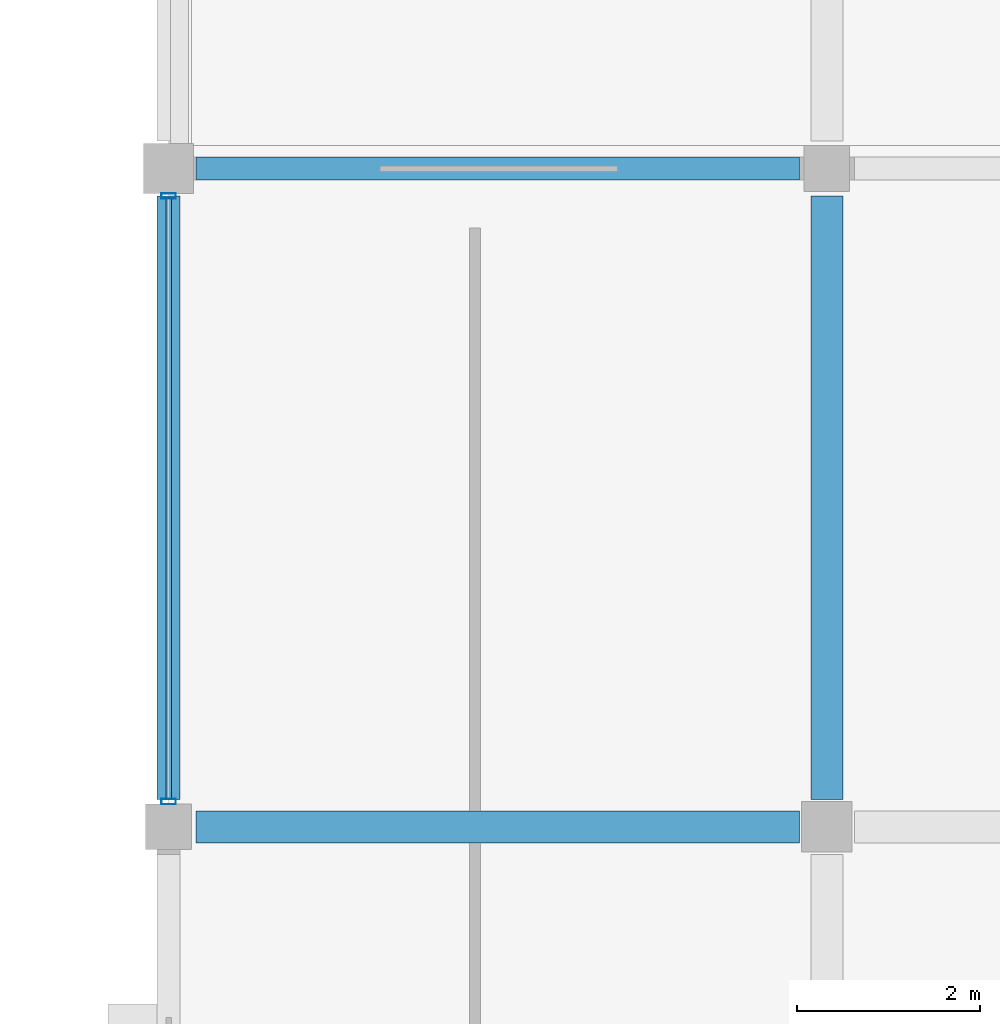
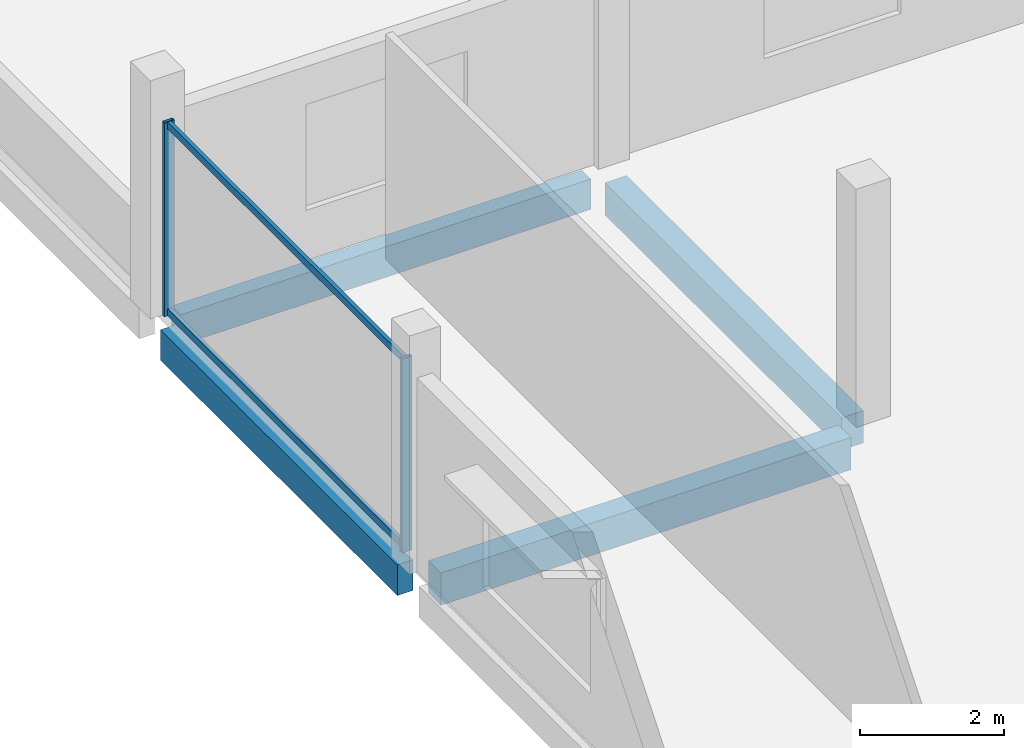
# One storey, part 10 of 26: 4 beams, 4 members, 1 element without a shape of its own.
"""IFC4 building model written with IfcOpenShell, lengths in metres."""

import ifcopenshell
import ifcopenshell.guid

model = None  # the IFC model being written
_history = None  # IfcOwnerHistory: only IFC2X3 demands one
_inside = {}  # id of a spatial element -> (the spatial element, [elements in it])
_under = {}  # id of a project, library or spatial element -> (it, [spatial elements below it])
_declared = {}  # id of a project -> (the project, [libraries it declares])
_typed = {}  # id of a type object -> (the type object, [elements of that type])
_made_of = {}  # id of a material, layer set ... -> (it, [elements and type objects made of it])


def new_model(schema):
    """Start an empty IFC model of exactly this schema.

    Asked for "IFC4X3", IfcOpenShell would pick the latest addendum, in which some entities
    have other attributes; the version numbers below select the first issue.
    IFC2X3 requires an IfcOwnerHistory on every rooted entity: one is made here for all.
    """
    global model, _history
    if schema == "IFC4X3":
        model = ifcopenshell.file(schema_version=(4, 3, 0, 0))
    else:
        model = ifcopenshell.file(schema=schema)
    _inside.clear()
    _under.clear()
    _declared.clear()
    _typed.clear()
    _made_of.clear()
    _history = None
    if model.schema == "IFC2X3":
        org = make("IfcOrganization", Name="unknown")
        user = make(
            "IfcPersonAndOrganization",
            ThePerson=make("IfcPerson", FamilyName="unknown"),
            TheOrganization=org,
        )
        app = make(
            "IfcApplication",
            ApplicationDeveloper=org,
            Version="unknown",
            ApplicationFullName="unknown",
            ApplicationIdentifier="unknown",
        )
        _history = make(
            "IfcOwnerHistory",
            OwningUser=user,
            OwningApplication=app,
            ChangeAction="ADDED",
            CreationDate=0,
        )
    return model


def make(cls, **values):
    """One entity of the class cls with the attributes given. An attribute that is None is left unset."""
    return model.create_entity(
        cls, **{name: value for name, value in values.items() if value is not None}
    )


def rooted(cls, **values):
    """An entity with a GlobalId (a new one), such as an element, a storey or a relation."""
    return make(cls, GlobalId=ifcopenshell.guid.new(), OwnerHistory=_history, **values)


def si_unit(unit_type, name, prefix=None):
    """IfcSIUnit, for example si_unit("LENGTHUNIT", "METRE", prefix="MILLI")."""
    return make("IfcSIUnit", UnitType=unit_type, Prefix=prefix, Name=name)


def assignment(units):
    """IfcUnitAssignment: the units of a project."""
    return None if units is None else make("IfcUnitAssignment", Units=units)


def point(xyz):
    """IfcCartesianPoint."""
    return None if xyz is None else make("IfcCartesianPoint", Coordinates=xyz)


def direction(xyz):
    """IfcDirection."""
    return None if xyz is None else make("IfcDirection", DirectionRatios=xyz)


def frame(location, z_axis=None, x_axis=None):
    """IfcAxis2Placement3D, a coordinate frame: its origin and axes. An axis left out is left unset."""
    return make(
        "IfcAxis2Placement3D",
        Location=point(location),
        Axis=direction(z_axis),
        RefDirection=direction(x_axis),
    )


def frame_2d(location, x_axis=None):
    """IfcAxis2Placement2D, a coordinate frame in the plane: its origin and x axis."""
    return make(
        "IfcAxis2Placement2D", Location=point(location), RefDirection=direction(x_axis)
    )


def origin():
    """The frame at (0, 0, 0) with its axes left unset."""
    return frame((0.0, 0.0, 0.0))


def origin_2d():
    """The frame at (0, 0) in the plane with its x axis left unset."""
    return frame_2d((0.0, 0.0))


def place(relative_to, where):
    """IfcLocalPlacement: puts the frame where relative to a parent placement (None: the world)."""
    return make(
        "IfcLocalPlacement", PlacementRelTo=relative_to, RelativePlacement=where
    )


def context(
    kind, dimensions, precision=None, world=None, true_north=None, identifier=None
):
    """IfcGeometricRepresentationContext, for example the 3D "Model" context."""
    return make(
        "IfcGeometricRepresentationContext",
        ContextIdentifier=identifier,
        ContextType=kind,
        CoordinateSpaceDimension=dimensions,
        Precision=precision,
        WorldCoordinateSystem=world,
        TrueNorth=true_north,
    )


def subcontext(parent, identifier, kind, view, scale=None):
    """IfcGeometricRepresentationSubContext, for example "Body" below "Model"."""
    return make(
        "IfcGeometricRepresentationSubContext",
        ContextIdentifier=identifier,
        ContextType=kind,
        ParentContext=parent,
        TargetScale=scale,
        TargetView=view,
    )


def project(units=None, contexts=None):
    """IfcProject with its units and contexts."""
    return rooted(
        "IfcProject",
        Name="project",
        RepresentationContexts=contexts,
        UnitsInContext=assignment(units),
    )


def spatial(cls, under=None, at=None, **own):
    """A site, building, storey or space (cls), placed at a placement, below another one or the project."""
    s = rooted(cls, ObjectPlacement=at, **own)
    if under is not None:
        _under.setdefault(under.id(), (under, []))[1].append(s)
    return s


def profile(cls, at=None, kind="AREA", **sizes):
    """A parametric profile (cls). Its sizes go by their IFC names, for example OverallWidth=200.0."""
    return make(cls, ProfileType=kind, Position=at, **sizes)


def rectangle(**sizes):
    """IfcRectangleProfileDef."""
    return profile("IfcRectangleProfileDef", **sizes)


def hollow_rectangle(**sizes):
    """IfcRectangleHollowProfileDef."""
    return profile("IfcRectangleHollowProfileDef", **sizes)


def extrude(swept, where, along, depth):
    """IfcExtrudedAreaSolid: the profile swept, set in the frame where, extruded along a direction by depth."""
    return make(
        "IfcExtrudedAreaSolid",
        SweptArea=swept,
        Position=where,
        ExtrudedDirection=direction(along),
        Depth=depth,
    )


def shape(context_of_items, identifier, shape_type, items):
    """IfcShapeRepresentation: the items that make up one representation, for example the "Body"."""
    return make(
        "IfcShapeRepresentation",
        ContextOfItems=context_of_items,
        RepresentationIdentifier=identifier,
        RepresentationType=shape_type,
        Items=items,
    )


def material(Name=None, Category=None):
    """IfcMaterial."""
    return make("IfcMaterial", Name=Name, Category=Category)


def layer(
    of_material, thickness, ventilated=None, Name=None, Category=None, Priority=None
):
    """IfcMaterialLayer: one layer of a wall or slab, of a material (None: an air gap)."""
    return make(
        "IfcMaterialLayer",
        Material=of_material,
        LayerThickness=thickness,
        IsVentilated=ventilated,
        Name=Name,
        Category=Category,
        Priority=Priority,
    )


def layer_set(layers, Name=None):
    """IfcMaterialLayerSet."""
    return make("IfcMaterialLayerSet", MaterialLayers=layers, LayerSetName=Name)


def material_profile(
    of_material, cross_section, Name=None, Category=None, Priority=None
):
    """IfcMaterialProfile: a cross section and its material."""
    return make(
        "IfcMaterialProfile",
        Name=Name,
        Material=of_material,
        Profile=cross_section,
        Priority=Priority,
        Category=Category,
    )


def profile_set(profiles, Name=None, composite=None):
    """IfcMaterialProfileSet."""
    return make(
        "IfcMaterialProfileSet",
        Name=Name,
        MaterialProfiles=profiles,
        CompositeProfile=composite,
    )


def made_of(thing, what):
    """Note that an element or type object is made of a material, layer set ...; save() writes the relation."""
    if what is not None:
        _made_of.setdefault(what.id(), (what, []))[1].append(thing)
    return thing


def type_object(cls, material=None, **own):
    """A type object (cls), such as IfcWallType, which elements share."""
    return made_of(rooted(cls, **own), material)


def element(
    cls,
    number,
    at=None,
    inside=None,
    cuts=None,
    type_object=None,
    material=None,
    context=None,
    identifier="Body",
    shape_type=None,
    held_by="IfcProductDefinitionShape",
    body=None,
    shapes=None,
    **own,
):
    """One element of the class cls, such as IfcWall. Its Tag is "e" and its number.

    at: its placement. inside: the storey or other place that contains it. cuts: it is an
    opening in that element (IfcRelVoidsElement). A single representation is given by context,
    identifier, shape_type and body (its items); several are given by shapes. held_by: the class
    of the entity that holds the representations. save() writes the other relations.
    """
    e = rooted(cls, Tag="e%d" % number, ObjectPlacement=at, **own)
    if body is not None:
        shapes = [shape(context, identifier, shape_type, body)]
    if shapes is not None:
        e.Representation = make(held_by, Representations=shapes)
    if inside is not None:
        _inside.setdefault(inside.id(), (inside, []))[1].append(e)
    if cuts is not None:
        rooted(
            "IfcRelVoidsElement", RelatingBuildingElement=cuts, RelatedOpeningElement=e
        )
    if type_object is not None:
        _typed.setdefault(type_object.id(), (type_object, []))[1].append(e)
    return made_of(e, material)


def aggregate(whole, parts):
    """IfcRelAggregates: a whole, such as a stair, and the parts it consists of."""
    return rooted("IfcRelAggregates", RelatingObject=whole, RelatedObjects=parts)


def save(model, path):
    """Write the relations noted so far, then the file.

    IfcRelAggregates (storeys below a building ...), IfcRelContainedInSpatialStructure (elements
    in a storey), IfcRelDefinesByType, IfcRelAssociatesMaterial and IfcRelDeclares: one each for
    every whole, place, type object, material and project.
    """
    for whole, parts in _under.values():
        aggregate(whole, parts)
    for where, things in _inside.values():
        rooted(
            "IfcRelContainedInSpatialStructure",
            RelatedElements=things,
            RelatingStructure=where,
        )
    for kind, things in _typed.values():
        rooted("IfcRelDefinesByType", RelatedObjects=things, RelatingType=kind)
    for what, things in _made_of.values():
        rooted("IfcRelAssociatesMaterial", RelatedObjects=things, RelatingMaterial=what)
    for by, libraries in _declared.values():
        rooted("IfcRelDeclares", RelatingContext=by, RelatedDefinitions=libraries)
    model.write(path)


model = new_model("IFC4")

# Units and contexts
model_context = context("Model", 3, precision=1e-05, world=origin(), true_north=direction((0.0, 1.0)))
body_context = subcontext(model_context, "Body", "Model", "MODEL_VIEW")
ifc_project = project(units=[si_unit("LENGTHUNIT", "METRE"), si_unit("AREAUNIT", "SQUARE_METRE"), si_unit("VOLUMEUNIT", "CUBIC_METRE"), si_unit("PLANEANGLEUNIT", "RADIAN"), si_unit("MASSUNIT", "GRAM", prefix="KILO")], contexts=[model_context])

# Site, building, storey
site_placement = place(None, origin())
site = spatial("IfcSite", under=ifc_project, at=site_placement, CompositionType="ELEMENT")
building_placement = place(site_placement, origin())
building = spatial("IfcBuilding", under=site, at=building_placement, Name="Kangsadwip Square Police Headquarters", CompositionType="ELEMENT")
storey_placement = place(building_placement, frame((0.0, 0.0, 25.64990234375)))
storey = spatial("IfcBuildingStorey", under=building, at=storey_placement, Name="L06", CompositionType="ELEMENT", Elevation=25.64990234375)

# Curtain wall, members
ifc_material_1 = material(Name="Thermally broken anodised aluminium AW-6063-T6", Category="aluminium")
ifc_layer = layer(ifc_material_1, 0.159912109375)
ifc_layer_set = layer_set([ifc_layer], Name="Thermally broken anodised aluminium AW-6063-T6")
curtain_wall_type = type_object("IfcCurtainWallType", Name="CourtScreen6685x3300", PredefinedType="USERDEFINED", material=ifc_layer_set)
curtain_wall_placement = place(storey_placement, origin())
curtain_wall = element("IfcCurtainWall", 1, at=curtain_wall_placement, inside=storey, type_object=curtain_wall_type, Name="Curtain Wall CW-L06-1440-0938", ObjectType="GLAZED_SCREEN", PredefinedType="USERDEFINED")
ifc_material_2 = material(Name="Thermally broken anodised aluminium AW-6063-T6", Category="aluminium")
ifc_material_profile_1 = material_profile(ifc_material_2, hollow_rectangle(XDim=0.06005859375, YDim=0.159912109375, WallThickness=0.00390625, at=origin_2d()), Name="CWM 160X60X4")
ifc_profile_set_1 = profile_set([ifc_material_profile_1], Name="Thermally broken anodised aluminium AW-6063-T6")
member_type_1 = type_object("IfcMemberType", Name="CwMullion135x60", PredefinedType="MULLION", material=ifc_profile_set_1)
member_1_placement = place(storey_placement, frame((144.0, 93.875, 0.0), z_axis=(0.0, 0.0, 1.0), x_axis=(0.0, 1.0, 0.0)))
member_1 = element("IfcMember", 2, at=member_1_placement, type_object=member_type_1, Name="CW-53 mullion 1", PredefinedType="MULLION", context=body_context, shape_type="SweptSolid", body=[
    extrude(hollow_rectangle(XDim=0.06005859375, YDim=0.159912109375, WallThickness=0.00390625, at=origin_2d()), origin(), (0.0, 0.0, 1.0), 3.300048828125),
])
member_2_placement = place(storey_placement, frame((144.0, 100.5, 0.0), z_axis=(0.0, 0.0, 1.0), x_axis=(0.0, 1.0, 0.0)))
member_2 = element("IfcMember", 3, at=member_2_placement, type_object=member_type_1, Name="CW-53 mullion 2", PredefinedType="MULLION", context=body_context, shape_type="SweptSolid", body=[
    extrude(hollow_rectangle(XDim=0.06005859375, YDim=0.159912109375, WallThickness=0.00390625, at=origin_2d()), origin(), (0.0, 0.0, 1.0), 3.300048828125),
])
ifc_material_3 = material(Name="Thermally broken anodised aluminium AW-6063-T6", Category="aluminium")
ifc_material_profile_2 = material_profile(ifc_material_3, hollow_rectangle(XDim=0.06005859375, YDim=0.1201171875, WallThickness=0.00390625, at=origin_2d()), Name="CWT 120X60X4")
ifc_profile_set_2 = profile_set([ifc_material_profile_2], Name="Thermally broken anodised aluminium AW-6063-T6")
member_type_2 = type_object("IfcMemberType", Name="CwTransom120x55", PredefinedType="USERDEFINED", material=ifc_profile_set_2)
member_3_placement = place(storey_placement, frame((144.0, 93.905029296875, 0.06005859375), z_axis=(0.0, 1.0, 0.0), x_axis=(-1.0, 0.0, 0.0)))
member_3 = element("IfcMember", 4, at=member_3_placement, type_object=member_type_2, Name="CW-53 transom 1.1", ObjectType="TRANSOM", PredefinedType="USERDEFINED", context=body_context, shape_type="SweptSolid", body=[
    extrude(hollow_rectangle(XDim=0.06005859375, YDim=0.1201171875, WallThickness=0.00390625, at=origin_2d()), origin(), (0.0, 0.0, 1.0), 6.56494140625),
])
member_4_placement = place(storey_placement, frame((144.0, 93.905029296875, 3.239990234375), z_axis=(0.0, 1.0, 0.0), x_axis=(-1.0, 0.0, 0.0)))
member_4 = element("IfcMember", 5, at=member_4_placement, type_object=member_type_2, Name="CW-53 transom 1.2", ObjectType="TRANSOM", PredefinedType="USERDEFINED", context=body_context, shape_type="SweptSolid", body=[
    extrude(hollow_rectangle(XDim=0.06005859375, YDim=0.1201171875, WallThickness=0.00390625, at=origin_2d()), origin(), (0.0, 0.0, 1.0), 6.56494140625),
])
aggregate(curtain_wall, [member_1, member_2, member_3, member_4])

# Beams
ifc_material_4 = material(Name="Concrete M35 (35 MPa)", Category="concrete")
ifc_material_profile_3 = material_profile(ifc_material_4, rectangle(XDim=0.35009765625, YDim=0.550048828125, at=origin_2d()), Name="RC BM 550X350")
ifc_profile_set_3 = profile_set([ifc_material_profile_3], Name="Concrete M35 (35 MPa)")
beam_type_1 = type_object("IfcBeamType", Name="RcBeam550x350", PredefinedType="BEAM", material=ifc_profile_set_3)
beam_1_placement = place(storey_placement, frame((144.300048828125, 93.60009765625, -0.494873046875), z_axis=(1.0, 0.0, 0.0), x_axis=(0.0, 1.0, 0.0)))
element("IfcBeam", 6, at=beam_1_placement, inside=storey, type_object=beam_type_1, Name="Beam BM-L06-X-20-13", PredefinedType="BEAM", context=body_context, shape_type="SweptSolid", body=[
    extrude(rectangle(XDim=0.35009765625, YDim=0.550048828125, at=origin_2d()), origin(), (0.0, 0.0, 1.0), 6.599853515625),
])
beam_2_placement = place(storey_placement, frame((151.199951171875, 93.89990234375, -0.494873046875), z_axis=(0.0, 1.0, 0.0), x_axis=(-1.0, 0.0, 0.0)))
element("IfcBeam", 7, at=beam_2_placement, inside=storey, type_object=beam_type_1, Name="Beam BM-L06-Y-21-13", PredefinedType="BEAM", context=body_context, shape_type="SweptSolid", body=[
    extrude(rectangle(XDim=0.35009765625, YDim=0.550048828125, at=origin_2d()), origin(), (0.0, 0.0, 1.0), 6.60009765625),
])
ifc_material_5 = material(Name="Concrete M35 (35 MPa)", Category="concrete")
ifc_material_profile_4 = material_profile(ifc_material_5, rectangle(XDim=0.25, YDim=0.52001953125, at=origin_2d()), Name="RC SPN 520X250")
ifc_profile_set_4 = profile_set([ifc_material_profile_4], Name="Concrete M35 (35 MPa)")
beam_type_2 = type_object("IfcBeamType", Name="RcSpandrel520x250", PredefinedType="SPANDREL", material=ifc_profile_set_4)
beam_3_placement = place(storey_placement, frame((144.300048828125, 100.800048828125, -0.47998046875), z_axis=(1.0, 0.0, 0.0), x_axis=(0.0, 1.0, 0.0)))
element("IfcBeam", 8, at=beam_3_placement, inside=storey, type_object=beam_type_2, Name="Beam BM-L06-X-20-14", PredefinedType="SPANDREL", context=body_context, shape_type="SweptSolid", body=[
    extrude(rectangle(XDim=0.25, YDim=0.52001953125, at=origin_2d()), origin(), (0.0, 0.0, 1.0), 6.599853515625),
])
beam_4_placement = place(storey_placement, frame((144.0, 93.89990234375, -0.47998046875), z_axis=(0.0, 1.0, 0.0), x_axis=(-1.0, 0.0, 0.0)))
element("IfcBeam", 9, at=beam_4_placement, inside=storey, type_object=beam_type_2, Name="Beam BM-L06-Y-20-13", PredefinedType="SPANDREL", context=body_context, shape_type="SweptSolid", body=[
    extrude(rectangle(XDim=0.25, YDim=0.52001953125, at=origin_2d()), origin(), (0.0, 0.0, 1.0), 6.60009765625),
])

save(model, "model.ifc")
